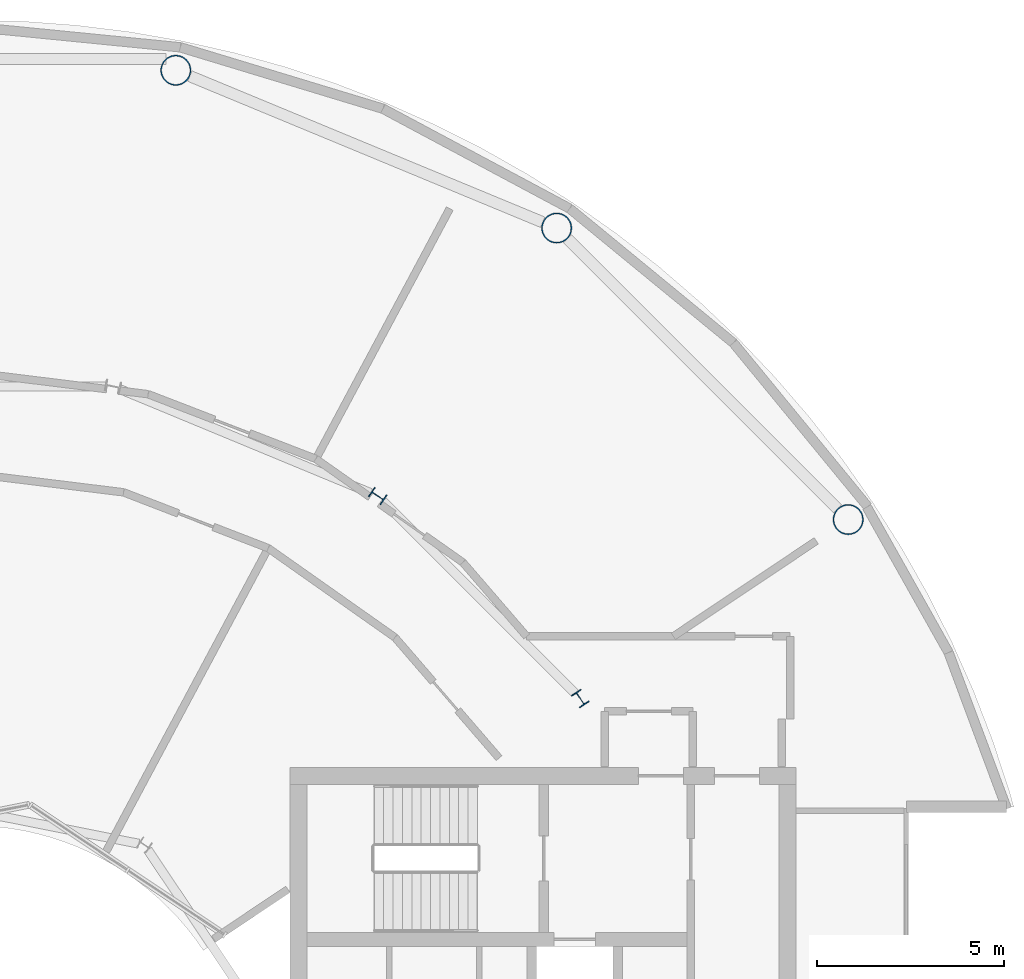
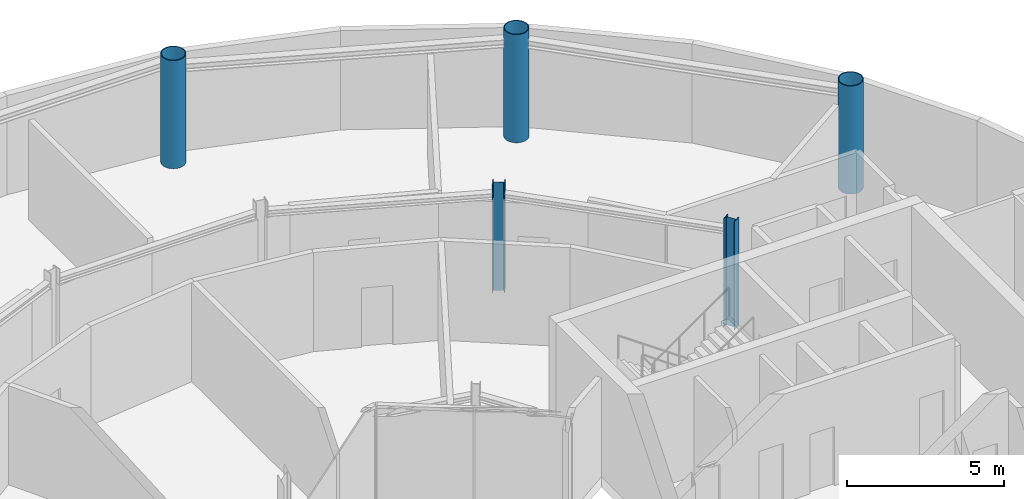
# One storey, part 5 of 19: 5 columns.
"""IFC4 building model written with IfcOpenShell, lengths in metres."""

import ifcopenshell
import ifcopenshell.guid

model = None  # the IFC model being written
_history = None  # IfcOwnerHistory: only IFC2X3 demands one
_inside = {}  # id of a spatial element -> (the spatial element, [elements in it])
_under = {}  # id of a project, library or spatial element -> (it, [spatial elements below it])
_declared = {}  # id of a project -> (the project, [libraries it declares])
_typed = {}  # id of a type object -> (the type object, [elements of that type])
_made_of = {}  # id of a material, layer set ... -> (it, [elements and type objects made of it])


def new_model(schema):
    """Start an empty IFC model of exactly this schema.

    Asked for "IFC4X3", IfcOpenShell would pick the latest addendum, in which some entities
    have other attributes; the version numbers below select the first issue.
    IFC2X3 requires an IfcOwnerHistory on every rooted entity: one is made here for all.
    """
    global model, _history
    if schema == "IFC4X3":
        model = ifcopenshell.file(schema_version=(4, 3, 0, 0))
    else:
        model = ifcopenshell.file(schema=schema)
    _inside.clear()
    _under.clear()
    _declared.clear()
    _typed.clear()
    _made_of.clear()
    _history = None
    if model.schema == "IFC2X3":
        org = make("IfcOrganization", Name="unknown")
        user = make(
            "IfcPersonAndOrganization",
            ThePerson=make("IfcPerson", FamilyName="unknown"),
            TheOrganization=org,
        )
        app = make(
            "IfcApplication",
            ApplicationDeveloper=org,
            Version="unknown",
            ApplicationFullName="unknown",
            ApplicationIdentifier="unknown",
        )
        _history = make(
            "IfcOwnerHistory",
            OwningUser=user,
            OwningApplication=app,
            ChangeAction="ADDED",
            CreationDate=0,
        )
    return model


def make(cls, **values):
    """One entity of the class cls with the attributes given. An attribute that is None is left unset."""
    return model.create_entity(
        cls, **{name: value for name, value in values.items() if value is not None}
    )


def rooted(cls, **values):
    """An entity with a GlobalId (a new one), such as an element, a storey or a relation."""
    return make(cls, GlobalId=ifcopenshell.guid.new(), OwnerHistory=_history, **values)


def si_unit(unit_type, name, prefix=None):
    """IfcSIUnit, for example si_unit("LENGTHUNIT", "METRE", prefix="MILLI")."""
    return make("IfcSIUnit", UnitType=unit_type, Prefix=prefix, Name=name)


def assignment(units):
    """IfcUnitAssignment: the units of a project."""
    return None if units is None else make("IfcUnitAssignment", Units=units)


def point(xyz):
    """IfcCartesianPoint."""
    return None if xyz is None else make("IfcCartesianPoint", Coordinates=xyz)


def direction(xyz):
    """IfcDirection."""
    return None if xyz is None else make("IfcDirection", DirectionRatios=xyz)


def frame(location, z_axis=None, x_axis=None):
    """IfcAxis2Placement3D, a coordinate frame: its origin and axes. An axis left out is left unset."""
    return make(
        "IfcAxis2Placement3D",
        Location=point(location),
        Axis=direction(z_axis),
        RefDirection=direction(x_axis),
    )


def frame_2d(location, x_axis=None):
    """IfcAxis2Placement2D, a coordinate frame in the plane: its origin and x axis."""
    return make(
        "IfcAxis2Placement2D", Location=point(location), RefDirection=direction(x_axis)
    )


def origin():
    """The frame at (0, 0, 0) with its axes left unset."""
    return frame((0.0, 0.0, 0.0))


def origin_2d():
    """The frame at (0, 0) in the plane with its x axis left unset."""
    return frame_2d((0.0, 0.0))


def place(relative_to, where):
    """IfcLocalPlacement: puts the frame where relative to a parent placement (None: the world)."""
    return make(
        "IfcLocalPlacement", PlacementRelTo=relative_to, RelativePlacement=where
    )


def context(
    kind, dimensions, precision=None, world=None, true_north=None, identifier=None
):
    """IfcGeometricRepresentationContext, for example the 3D "Model" context."""
    return make(
        "IfcGeometricRepresentationContext",
        ContextIdentifier=identifier,
        ContextType=kind,
        CoordinateSpaceDimension=dimensions,
        Precision=precision,
        WorldCoordinateSystem=world,
        TrueNorth=true_north,
    )


def subcontext(parent, identifier, kind, view, scale=None):
    """IfcGeometricRepresentationSubContext, for example "Body" below "Model"."""
    return make(
        "IfcGeometricRepresentationSubContext",
        ContextIdentifier=identifier,
        ContextType=kind,
        ParentContext=parent,
        TargetScale=scale,
        TargetView=view,
    )


def project(units=None, contexts=None):
    """IfcProject with its units and contexts."""
    return rooted(
        "IfcProject",
        Name="project",
        RepresentationContexts=contexts,
        UnitsInContext=assignment(units),
    )


def spatial(cls, under=None, at=None, **own):
    """A site, building, storey or space (cls), placed at a placement, below another one or the project."""
    s = rooted(cls, ObjectPlacement=at, **own)
    if under is not None:
        _under.setdefault(under.id(), (under, []))[1].append(s)
    return s


def profile(cls, at=None, kind="AREA", **sizes):
    """A parametric profile (cls). Its sizes go by their IFC names, for example OverallWidth=200.0."""
    return make(cls, ProfileType=kind, Position=at, **sizes)


def hollow_circle(**sizes):
    """IfcCircleHollowProfileDef."""
    return profile("IfcCircleHollowProfileDef", **sizes)


def i_section(**sizes):
    """IfcIShapeProfileDef."""
    return profile("IfcIShapeProfileDef", **sizes)


def extrude(swept, where, along, depth):
    """IfcExtrudedAreaSolid: the profile swept, set in the frame where, extruded along a direction by depth."""
    return make(
        "IfcExtrudedAreaSolid",
        SweptArea=swept,
        Position=where,
        ExtrudedDirection=direction(along),
        Depth=depth,
    )


def shape(context_of_items, identifier, shape_type, items):
    """IfcShapeRepresentation: the items that make up one representation, for example the "Body"."""
    return make(
        "IfcShapeRepresentation",
        ContextOfItems=context_of_items,
        RepresentationIdentifier=identifier,
        RepresentationType=shape_type,
        Items=items,
    )


def material(Name=None, Category=None):
    """IfcMaterial."""
    return make("IfcMaterial", Name=Name, Category=Category)


def material_profile(
    of_material, cross_section, Name=None, Category=None, Priority=None
):
    """IfcMaterialProfile: a cross section and its material."""
    return make(
        "IfcMaterialProfile",
        Name=Name,
        Material=of_material,
        Profile=cross_section,
        Priority=Priority,
        Category=Category,
    )


def profile_set(profiles, Name=None, composite=None):
    """IfcMaterialProfileSet."""
    return make(
        "IfcMaterialProfileSet",
        Name=Name,
        MaterialProfiles=profiles,
        CompositeProfile=composite,
    )


def made_of(thing, what):
    """Note that an element or type object is made of a material, layer set ...; save() writes the relation."""
    if what is not None:
        _made_of.setdefault(what.id(), (what, []))[1].append(thing)
    return thing


def type_object(cls, material=None, **own):
    """A type object (cls), such as IfcWallType, which elements share."""
    return made_of(rooted(cls, **own), material)


def element(
    cls,
    number,
    at=None,
    inside=None,
    cuts=None,
    type_object=None,
    material=None,
    context=None,
    identifier="Body",
    shape_type=None,
    held_by="IfcProductDefinitionShape",
    body=None,
    shapes=None,
    **own,
):
    """One element of the class cls, such as IfcWall. Its Tag is "e" and its number.

    at: its placement. inside: the storey or other place that contains it. cuts: it is an
    opening in that element (IfcRelVoidsElement). A single representation is given by context,
    identifier, shape_type and body (its items); several are given by shapes. held_by: the class
    of the entity that holds the representations. save() writes the other relations.
    """
    e = rooted(cls, Tag="e%d" % number, ObjectPlacement=at, **own)
    if body is not None:
        shapes = [shape(context, identifier, shape_type, body)]
    if shapes is not None:
        e.Representation = make(held_by, Representations=shapes)
    if inside is not None:
        _inside.setdefault(inside.id(), (inside, []))[1].append(e)
    if cuts is not None:
        rooted(
            "IfcRelVoidsElement", RelatingBuildingElement=cuts, RelatedOpeningElement=e
        )
    if type_object is not None:
        _typed.setdefault(type_object.id(), (type_object, []))[1].append(e)
    return made_of(e, material)


def aggregate(whole, parts):
    """IfcRelAggregates: a whole, such as a stair, and the parts it consists of."""
    return rooted("IfcRelAggregates", RelatingObject=whole, RelatedObjects=parts)


def save(model, path):
    """Write the relations noted so far, then the file.

    IfcRelAggregates (storeys below a building ...), IfcRelContainedInSpatialStructure (elements
    in a storey), IfcRelDefinesByType, IfcRelAssociatesMaterial and IfcRelDeclares: one each for
    every whole, place, type object, material and project.
    """
    for whole, parts in _under.values():
        aggregate(whole, parts)
    for where, things in _inside.values():
        rooted(
            "IfcRelContainedInSpatialStructure",
            RelatedElements=things,
            RelatingStructure=where,
        )
    for kind, things in _typed.values():
        rooted("IfcRelDefinesByType", RelatedObjects=things, RelatingType=kind)
    for what, things in _made_of.values():
        rooted("IfcRelAssociatesMaterial", RelatedObjects=things, RelatingMaterial=what)
    for by, libraries in _declared.values():
        rooted("IfcRelDeclares", RelatingContext=by, RelatedDefinitions=libraries)
    model.write(path)


model = new_model("IFC4")

# Units and contexts
model_context = context("Model", 3, precision=1e-05, world=origin(), true_north=direction((0.0, 1.0)))
body_context = subcontext(model_context, "Body", "Model", "MODEL_VIEW")
ifc_project = project(units=[si_unit("LENGTHUNIT", "METRE"), si_unit("AREAUNIT", "SQUARE_METRE"), si_unit("VOLUMEUNIT", "CUBIC_METRE"), si_unit("PLANEANGLEUNIT", "RADIAN"), si_unit("MASSUNIT", "GRAM", prefix="KILO")], contexts=[model_context])

# Site, building, storey
site_placement = place(None, origin())
site = spatial("IfcSite", under=ifc_project, at=site_placement, CompositionType="ELEMENT")
building_placement = place(site_placement, origin())
building = spatial("IfcBuilding", under=site, at=building_placement, Name="Maasbend Ring Residences", CompositionType="ELEMENT")
storey_placement = place(building_placement, frame((0.0, 0.0, 186.0)))
storey = spatial("IfcBuildingStorey", under=building, at=storey_placement, Name="L53", CompositionType="ELEMENT", Elevation=186.0)

# Columns
ifc_material_1 = material(Name="Composite concrete-filled steel tube S460NH / C80/95", Category="concrete")
ifc_material_profile_1 = material_profile(ifc_material_1, hollow_circle(Radius=0.406494140625, WallThickness=0.030029296875, at=origin_2d()), Name="Composite tube column CHS 813x30")
ifc_profile_set_1 = profile_set([ifc_material_profile_1], Name="Composite concrete-filled steel tube S460NH / C80/95")
column_type_1 = type_object("IfcColumnType", Name="Composite tube column CHS 813x30", PredefinedType="COLUMN", material=ifc_profile_set_1)
for number, where, z_axis, x_axis, name in (
    (1, (23.447509765625, 15.6669921875, 0.0), (0.0, 0.0, 1.0), (1.0, 0.0, 0.0), "Outer column R2"),
    (2, (15.6669921875, 23.447509765625, 0.0), (0.0, 0.0, 1.0), (1.0, 0.0, 0.0), "Outer column R3"),
    (3, (5.50146484375, 27.658203125, 0.0), (0.0, 0.0, 1.0), (1.0, 0.0, 0.0), "Outer column R4"),
):
    element("IfcColumn", number, at=place(storey_placement, frame(where, z_axis=z_axis, x_axis=x_axis)), inside=storey, type_object=column_type_1, Name=name, PredefinedType="COLUMN", context=body_context, shape_type="SweptSolid", body=[
        extrude(hollow_circle(Radius=0.406494140625, WallThickness=0.030029296875, at=origin_2d()), origin(), (0.0, 0.0, 1.0), 4.199951171875),
    ])
ifc_material_2 = material(Name="Steel S355J2", Category="steel")
ifc_material_profile_2 = material_profile(ifc_material_2, i_section(OverallWidth=0.300048828125, OverallDepth=0.39990234375, WebThickness=0.013427734375, FlangeThickness=0.02392578125, FilletRadius=0.027099609375, at=origin_2d()), Name="HEB 400")
ifc_profile_set_2 = profile_set([ifc_material_profile_2], Name="Steel S355J2")
column_type_2 = type_object("IfcColumnType", Name="Steel column HEB 400", PredefinedType="COLUMN", material=ifc_profile_set_2)
for number, where, z_axis, x_axis, name in (
    (4, (16.296875, 10.88916015625, 0.0), (0.0, 0.0, 1.0), (0.831469612303, 0.55557023302, 0.0), "Corridor ring column R2"),
    (5, (10.88916015625, 16.296875, 0.0), (0.0, 0.0, 1.0), (0.55557023302, 0.831469612303, 0.0), "Corridor ring column R3"),
):
    element("IfcColumn", number, at=place(storey_placement, frame(where, z_axis=z_axis, x_axis=x_axis)), inside=storey, type_object=column_type_2, Name=name, PredefinedType="COLUMN", context=body_context, shape_type="SweptSolid", body=[
        extrude(i_section(OverallWidth=0.300048828125, OverallDepth=0.39990234375, WebThickness=0.013427734375, FlangeThickness=0.02392578125, FilletRadius=0.027099609375, at=origin_2d()), origin(), (0.0, 0.0, 1.0), 4.199951171875),
    ])

save(model, "model.ifc")
